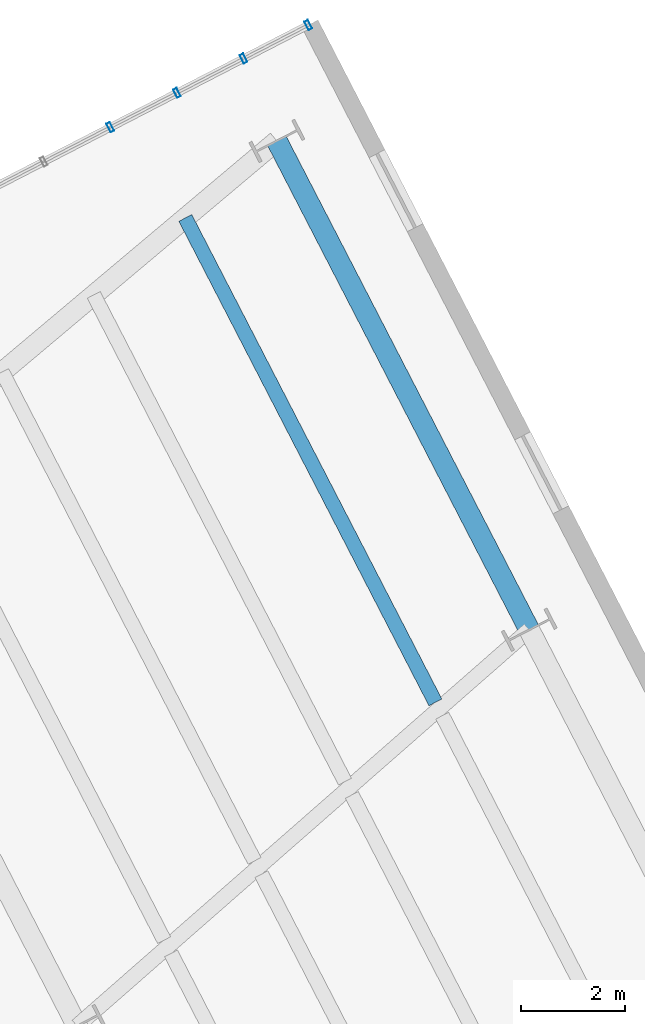
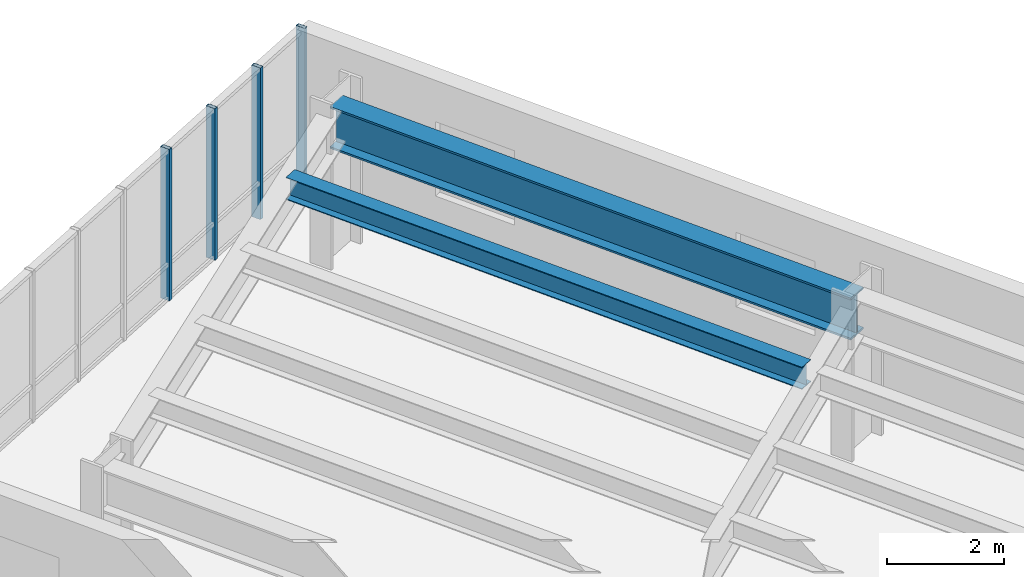
# One storey, part 4 of 10: 4 members, 2 beams, 1 element without a shape of its own.
"""IFC4 building model written with IfcOpenShell, lengths in metres."""

from ifc_helpers import new_model, si_unit, direction, frame, origin, origin_2d, place, context, subcontext, project, spatial, hollow_rectangle, i_section, extrude, material, layer, layer_set, material_profile, profile_set, type_object, element, aggregate, save


model = new_model("IFC4")

# Units and contexts
model_context = context("Model", 3, precision=1e-05, world=origin(), true_north=direction((0.0, 1.0)))
body_context = subcontext(model_context, "Body", "Model", "MODEL_VIEW")
ifc_project = project(units=[si_unit("LENGTHUNIT", "METRE"), si_unit("AREAUNIT", "SQUARE_METRE"), si_unit("VOLUMEUNIT", "CUBIC_METRE"), si_unit("PLANEANGLEUNIT", "RADIAN"), si_unit("MASSUNIT", "GRAM", prefix="KILO"), si_unit("THERMODYNAMICTEMPERATUREUNIT", "KELVIN"), si_unit("POWERUNIT", "WATT")], contexts=[model_context])

# Site, building, storey
site_placement = place(None, origin())
site = spatial("IfcSite", under=ifc_project, at=site_placement, CompositionType="ELEMENT")
building_placement = place(site_placement, origin())
building = spatial("IfcBuilding", under=site, at=building_placement, Name="Skarre Station Tower", CompositionType="ELEMENT")
storey_placement = place(building_placement, frame((0.0, 0.0, 142.949951171875)))
storey = spatial("IfcBuildingStorey", under=building, at=storey_placement, Name="L38", CompositionType="ELEMENT", Elevation=142.949951171875)

# Curtain wall, members
ifc_material_1 = material(Name="Thermally Broken Bronze-Anodized Aluminium & Triple Low-E Glass", Category="aluminium")
ifc_layer = layer(ifc_material_1, 0.2099609375, Name="Thermally Broken Bronze-Anodized Aluminium & Triple Low-E Glass")
ifc_layer_set = layer_set([ifc_layer], Name="Thermally Broken Bronze-Anodized Aluminium & Triple Low-E Glass")
curtain_wall_type = type_object("IfcCurtainWallType", Name="Sky-Bar Prow Structural Glazed Curtain Wall", PredefinedType="NOTDEFINED", material=ifc_layer_set)
curtain_wall_placement = place(storey_placement, origin())
curtain_wall = element("IfcCurtainWall", 1, at=curtain_wall_placement, inside=storey, type_object=curtain_wall_type, Name="L38 SB-3 Lakefront Prow Curtain Wall", PredefinedType="NOTDEFINED")
ifc_material_2 = material(Name="Anodized Aluminium 6063-T6", Category="aluminium")
ifc_material_profile_1 = material_profile(ifc_material_2, hollow_rectangle(XDim=0.074951171875, YDim=0.179931640625, WallThickness=0.00390625, at=origin_2d()), Name="Anodized Aluminium 6063-T6")
ifc_profile_set_1 = profile_set([ifc_material_profile_1], Name="Anodized Aluminium 6063-T6")
member_type = type_object("IfcMemberType", Name="Curtain-Wall Unitised Tower Mullion 180x75", PredefinedType="MULLION", material=ifc_profile_set_1)
member_1_placement = place(storey_placement, frame((19.236083984375, 58.6298828125, 0.0), z_axis=(0.0, 0.0, 1.0), x_axis=(0.888601222224, 0.458680572798, 0.0)))
member_1 = element("IfcMember", 2, at=member_1_placement, type_object=member_type, Name="L38 SB-3 Lakefront Prow Curtain Wall Mullion 8", PredefinedType="MULLION", context=body_context, shape_type="SweptSolid", body=[
    extrude(hollow_rectangle(XDim=0.074951171875, YDim=0.179931640625, WallThickness=0.00390625, at=origin_2d()), origin(), (0.0, 0.0, 1.0), 3.16015625),
])
member_2_placement = place(storey_placement, frame((20.51611328125, 59.2900390625, 0.0), z_axis=(0.0, 0.0, 1.0), x_axis=(0.888601222224, 0.458680572798, 0.0)))
member_2 = element("IfcMember", 3, at=member_2_placement, type_object=member_type, Name="L38 SB-3 Lakefront Prow Curtain Wall Mullion 9", PredefinedType="MULLION", context=body_context, shape_type="SweptSolid", body=[
    extrude(hollow_rectangle(XDim=0.074951171875, YDim=0.179931640625, WallThickness=0.00390625, at=origin_2d()), origin(), (0.0, 0.0, 1.0), 3.16015625),
])
member_3_placement = place(storey_placement, frame((21.794921875, 59.949951171875, 0.0), z_axis=(0.0, 0.0, 1.0), x_axis=(0.888601222224, 0.458680572798, 0.0)))
member_3 = element("IfcMember", 4, at=member_3_placement, type_object=member_type, Name="L38 SB-3 Lakefront Prow Curtain Wall Mullion 10", PredefinedType="MULLION", context=body_context, shape_type="SweptSolid", body=[
    extrude(hollow_rectangle(XDim=0.074951171875, YDim=0.179931640625, WallThickness=0.00390625, at=origin_2d()), origin(), (0.0, 0.0, 1.0), 3.16015625),
])
member_4_placement = place(storey_placement, frame((23.0390625, 60.593017578125, 0.0), z_axis=(0.0, 0.0, 1.0), x_axis=(0.888601222224, 0.458680572798, 0.0)))
member_4 = element("IfcMember", 5, at=member_4_placement, type_object=member_type, Name="L38 SB-3 Lakefront Prow Curtain Wall Mullion 11", PredefinedType="MULLION", context=body_context, shape_type="SweptSolid", body=[
    extrude(hollow_rectangle(XDim=0.074951171875, YDim=0.179931640625, WallThickness=0.00390625, at=origin_2d()), origin(), (0.0, 0.0, 1.0), 3.16015625),
])
aggregate(curtain_wall, [member_1, member_2, member_3, member_4])

# Beams
ifc_material_3 = material(Name="Steel ASTM A992 Grade 50", Category="steel")
ifc_material_profile_2 = material_profile(ifc_material_3, i_section(OverallWidth=0.40087890625, OverallDepth=0.876953125, WebThickness=0.02197265625, FlangeThickness=0.0400390625, at=origin_2d()), Name="Steel ASTM A992 Grade 50")
ifc_profile_set_2 = profile_set([ifc_material_profile_2], Name="Steel ASTM A992 Grade 50")
beam_type_1 = type_object("IfcBeamType", Name="Steel Beam W33X263", PredefinedType="BEAM", material=ifc_profile_set_2)
beam_1_placement = place(storey_placement, frame((27.283935546875, 48.97607421875, 2.72216796875), z_axis=(-0.458679988111, 0.888601524029, 0.0), x_axis=(-0.888601524029, -0.458679988111, 0.0)))
element("IfcBeam", 6, at=beam_1_placement, inside=storey, type_object=beam_type_1, Name="L38 SB-3 Side 1 Outer Girder", PredefinedType="BEAM", context=body_context, shape_type="SweptSolid", body=[
    extrude(i_section(OverallWidth=0.40087890625, OverallDepth=0.876953125, WebThickness=0.02197265625, FlangeThickness=0.0400390625, at=origin_2d()), origin(), (0.0, 0.0, 1.0), 10.5693359375),
])
ifc_material_profile_3 = material_profile(ifc_material_3, i_section(OverallWidth=0.280029296875, OverallDepth=0.462890625, WebThickness=0.010986328125, FlangeThickness=0.01708984375, at=origin_2d()), Name="Steel ASTM A992 Grade 50")
ifc_profile_set_3 = profile_set([ifc_material_profile_3], Name="Steel ASTM A992 Grade 50")
beam_type_2 = type_object("IfcBeamType", Name="Steel Joist W18X76", PredefinedType="JOIST", material=ifc_profile_set_3)
beam_2_placement = place(storey_placement, frame((25.48095703125, 47.58203125, 2.928955078125), z_axis=(-0.458711207207, 0.888585408604, 0.0), x_axis=(-0.888585408604, -0.458711207207, 0.0)))
element("IfcBeam", 7, at=beam_2_placement, inside=storey, type_object=beam_type_2, Name="L38 SB-3 Outer Deck Joist 1", PredefinedType="JOIST", context=body_context, shape_type="SweptSolid", body=[
    extrude(i_section(OverallWidth=0.280029296875, OverallDepth=0.462890625, WebThickness=0.010986328125, FlangeThickness=0.01708984375, at=origin_2d()), origin(), (0.0, 0.0, 1.0), 10.47265625),
])

save(model, "model.ifc")
